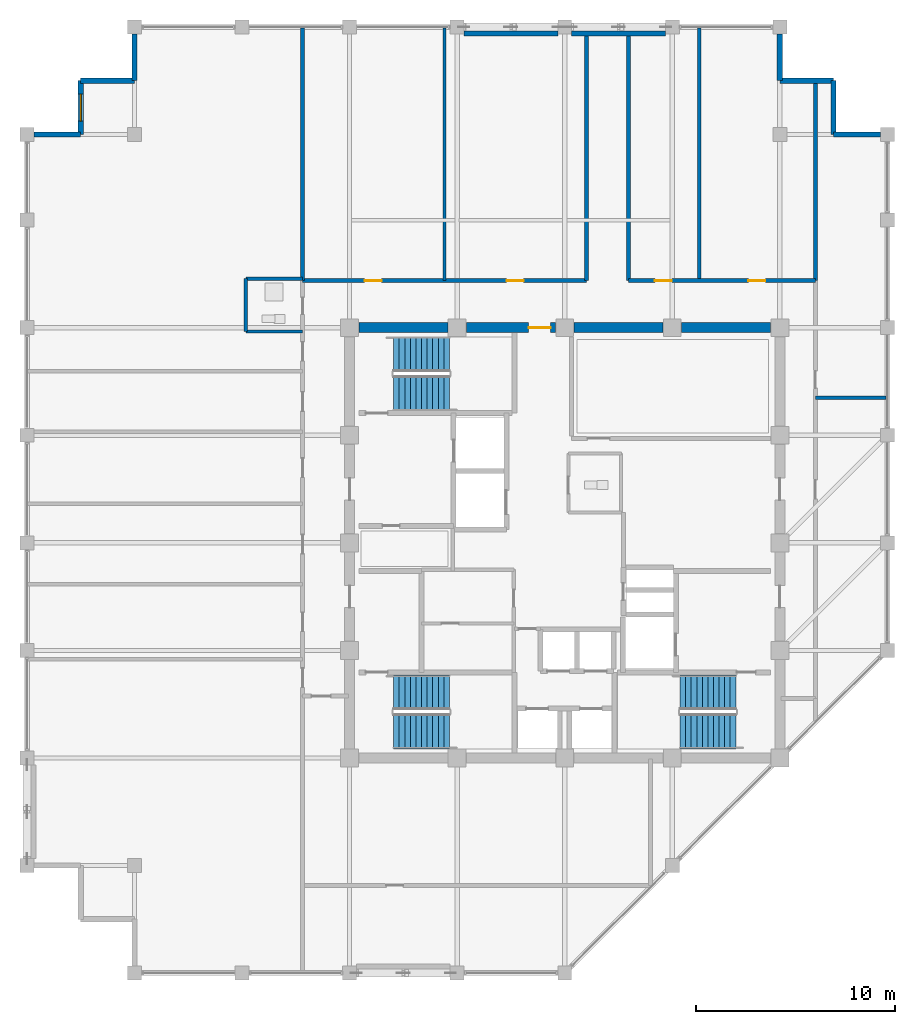
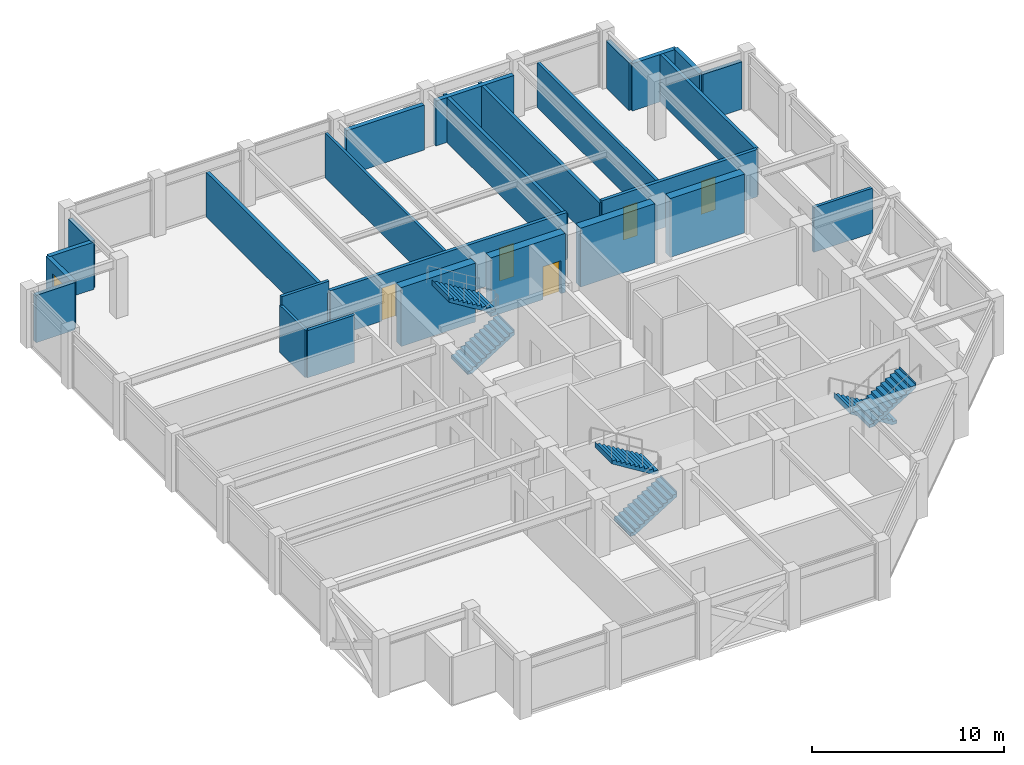
# One storey, part 28 of 30: 26 walls, 6 stair flights, 5 doors, 1 window, 6 openings, 3 elements without a shape of their own.
"""IFC4 building model written with IfcOpenShell, lengths in metres."""

import ifcopenshell
import ifcopenshell.guid

model = None  # the IFC model being written
_history = None  # IfcOwnerHistory: only IFC2X3 demands one
_inside = {}  # id of a spatial element -> (the spatial element, [elements in it])
_under = {}  # id of a project, library or spatial element -> (it, [spatial elements below it])
_declared = {}  # id of a project -> (the project, [libraries it declares])
_typed = {}  # id of a type object -> (the type object, [elements of that type])
_made_of = {}  # id of a material, layer set ... -> (it, [elements and type objects made of it])


def new_model(schema):
    """Start an empty IFC model of exactly this schema.

    Asked for "IFC4X3", IfcOpenShell would pick the latest addendum, in which some entities
    have other attributes; the version numbers below select the first issue.
    IFC2X3 requires an IfcOwnerHistory on every rooted entity: one is made here for all.
    """
    global model, _history
    if schema == "IFC4X3":
        model = ifcopenshell.file(schema_version=(4, 3, 0, 0))
    else:
        model = ifcopenshell.file(schema=schema)
    _inside.clear()
    _under.clear()
    _declared.clear()
    _typed.clear()
    _made_of.clear()
    _history = None
    if model.schema == "IFC2X3":
        org = make("IfcOrganization", Name="unknown")
        user = make(
            "IfcPersonAndOrganization",
            ThePerson=make("IfcPerson", FamilyName="unknown"),
            TheOrganization=org,
        )
        app = make(
            "IfcApplication",
            ApplicationDeveloper=org,
            Version="unknown",
            ApplicationFullName="unknown",
            ApplicationIdentifier="unknown",
        )
        _history = make(
            "IfcOwnerHistory",
            OwningUser=user,
            OwningApplication=app,
            ChangeAction="ADDED",
            CreationDate=0,
        )
    return model


def make(cls, **values):
    """One entity of the class cls with the attributes given. An attribute that is None is left unset."""
    return model.create_entity(
        cls, **{name: value for name, value in values.items() if value is not None}
    )


def rooted(cls, **values):
    """An entity with a GlobalId (a new one), such as an element, a storey or a relation."""
    return make(cls, GlobalId=ifcopenshell.guid.new(), OwnerHistory=_history, **values)


def si_unit(unit_type, name, prefix=None):
    """IfcSIUnit, for example si_unit("LENGTHUNIT", "METRE", prefix="MILLI")."""
    return make("IfcSIUnit", UnitType=unit_type, Prefix=prefix, Name=name)


def assignment(units):
    """IfcUnitAssignment: the units of a project."""
    return None if units is None else make("IfcUnitAssignment", Units=units)


def point(xyz):
    """IfcCartesianPoint."""
    return None if xyz is None else make("IfcCartesianPoint", Coordinates=xyz)


def direction(xyz):
    """IfcDirection."""
    return None if xyz is None else make("IfcDirection", DirectionRatios=xyz)


def frame(location, z_axis=None, x_axis=None):
    """IfcAxis2Placement3D, a coordinate frame: its origin and axes. An axis left out is left unset."""
    return make(
        "IfcAxis2Placement3D",
        Location=point(location),
        Axis=direction(z_axis),
        RefDirection=direction(x_axis),
    )


def frame_2d(location, x_axis=None):
    """IfcAxis2Placement2D, a coordinate frame in the plane: its origin and x axis."""
    return make(
        "IfcAxis2Placement2D", Location=point(location), RefDirection=direction(x_axis)
    )


def origin():
    """The frame at (0, 0, 0) with its axes left unset."""
    return frame((0.0, 0.0, 0.0))


def place(relative_to, where):
    """IfcLocalPlacement: puts the frame where relative to a parent placement (None: the world)."""
    return make(
        "IfcLocalPlacement", PlacementRelTo=relative_to, RelativePlacement=where
    )


def context(
    kind, dimensions, precision=None, world=None, true_north=None, identifier=None
):
    """IfcGeometricRepresentationContext, for example the 3D "Model" context."""
    return make(
        "IfcGeometricRepresentationContext",
        ContextIdentifier=identifier,
        ContextType=kind,
        CoordinateSpaceDimension=dimensions,
        Precision=precision,
        WorldCoordinateSystem=world,
        TrueNorth=true_north,
    )


def subcontext(parent, identifier, kind, view, scale=None):
    """IfcGeometricRepresentationSubContext, for example "Body" below "Model"."""
    return make(
        "IfcGeometricRepresentationSubContext",
        ContextIdentifier=identifier,
        ContextType=kind,
        ParentContext=parent,
        TargetScale=scale,
        TargetView=view,
    )


def project(units=None, contexts=None):
    """IfcProject with its units and contexts."""
    return rooted(
        "IfcProject",
        Name="project",
        RepresentationContexts=contexts,
        UnitsInContext=assignment(units),
    )


def spatial(cls, under=None, at=None, **own):
    """A site, building, storey or space (cls), placed at a placement, below another one or the project."""
    s = rooted(cls, ObjectPlacement=at, **own)
    if under is not None:
        _under.setdefault(under.id(), (under, []))[1].append(s)
    return s


def polyline(points):
    """IfcPolyline through the points."""
    return make("IfcPolyline", Points=[point(p) for p in points])


def profile(cls, at=None, kind="AREA", **sizes):
    """A parametric profile (cls). Its sizes go by their IFC names, for example OverallWidth=200.0."""
    return make(cls, ProfileType=kind, Position=at, **sizes)


def rectangle(**sizes):
    """IfcRectangleProfileDef."""
    return profile("IfcRectangleProfileDef", **sizes)


def outline(outer, holes=None, kind="AREA"):
    """IfcArbitraryClosedProfileDef: a profile drawn as a closed curve; with holes, ...WithVoids."""
    if holes is None:
        return make("IfcArbitraryClosedProfileDef", ProfileType=kind, OuterCurve=outer)
    return make(
        "IfcArbitraryProfileDefWithVoids",
        ProfileType=kind,
        OuterCurve=outer,
        InnerCurves=holes,
    )


def extrude(swept, where, along, depth):
    """IfcExtrudedAreaSolid: the profile swept, set in the frame where, extruded along a direction by depth."""
    return make(
        "IfcExtrudedAreaSolid",
        SweptArea=swept,
        Position=where,
        ExtrudedDirection=direction(along),
        Depth=depth,
    )


def shape(context_of_items, identifier, shape_type, items):
    """IfcShapeRepresentation: the items that make up one representation, for example the "Body"."""
    return make(
        "IfcShapeRepresentation",
        ContextOfItems=context_of_items,
        RepresentationIdentifier=identifier,
        RepresentationType=shape_type,
        Items=items,
    )


def material(Name=None, Category=None):
    """IfcMaterial."""
    return make("IfcMaterial", Name=Name, Category=Category)


def layer(
    of_material, thickness, ventilated=None, Name=None, Category=None, Priority=None
):
    """IfcMaterialLayer: one layer of a wall or slab, of a material (None: an air gap)."""
    return make(
        "IfcMaterialLayer",
        Material=of_material,
        LayerThickness=thickness,
        IsVentilated=ventilated,
        Name=Name,
        Category=Category,
        Priority=Priority,
    )


def layer_set(layers, Name=None):
    """IfcMaterialLayerSet."""
    return make("IfcMaterialLayerSet", MaterialLayers=layers, LayerSetName=Name)


def made_of(thing, what):
    """Note that an element or type object is made of a material, layer set ...; save() writes the relation."""
    if what is not None:
        _made_of.setdefault(what.id(), (what, []))[1].append(thing)
    return thing


def type_object(cls, material=None, **own):
    """A type object (cls), such as IfcWallType, which elements share."""
    return made_of(rooted(cls, **own), material)


def element(
    cls,
    number,
    at=None,
    inside=None,
    cuts=None,
    type_object=None,
    material=None,
    context=None,
    identifier="Body",
    shape_type=None,
    held_by="IfcProductDefinitionShape",
    body=None,
    shapes=None,
    **own,
):
    """One element of the class cls, such as IfcWall. Its Tag is "e" and its number.

    at: its placement. inside: the storey or other place that contains it. cuts: it is an
    opening in that element (IfcRelVoidsElement). A single representation is given by context,
    identifier, shape_type and body (its items); several are given by shapes. held_by: the class
    of the entity that holds the representations. save() writes the other relations.
    """
    e = rooted(cls, Tag="e%d" % number, ObjectPlacement=at, **own)
    if body is not None:
        shapes = [shape(context, identifier, shape_type, body)]
    if shapes is not None:
        e.Representation = make(held_by, Representations=shapes)
    if inside is not None:
        _inside.setdefault(inside.id(), (inside, []))[1].append(e)
    if cuts is not None:
        rooted(
            "IfcRelVoidsElement", RelatingBuildingElement=cuts, RelatedOpeningElement=e
        )
    if type_object is not None:
        _typed.setdefault(type_object.id(), (type_object, []))[1].append(e)
    return made_of(e, material)


def fill(opening, filler):
    """IfcRelFillsElement: the door or window that sits in an opening."""
    return rooted(
        "IfcRelFillsElement",
        RelatingOpeningElement=opening,
        RelatedBuildingElement=filler,
    )


def aggregate(whole, parts):
    """IfcRelAggregates: a whole, such as a stair, and the parts it consists of."""
    return rooted("IfcRelAggregates", RelatingObject=whole, RelatedObjects=parts)


def save(model, path):
    """Write the relations noted so far, then the file.

    IfcRelAggregates (storeys below a building ...), IfcRelContainedInSpatialStructure (elements
    in a storey), IfcRelDefinesByType, IfcRelAssociatesMaterial and IfcRelDeclares: one each for
    every whole, place, type object, material and project.
    """
    for whole, parts in _under.values():
        aggregate(whole, parts)
    for where, things in _inside.values():
        rooted(
            "IfcRelContainedInSpatialStructure",
            RelatedElements=things,
            RelatingStructure=where,
        )
    for kind, things in _typed.values():
        rooted("IfcRelDefinesByType", RelatedObjects=things, RelatingType=kind)
    for what, things in _made_of.values():
        rooted("IfcRelAssociatesMaterial", RelatedObjects=things, RelatingMaterial=what)
    for by, libraries in _declared.values():
        rooted("IfcRelDeclares", RelatingContext=by, RelatedDefinitions=libraries)
    model.write(path)


model = new_model("IFC4")

# Units and contexts
model_context = context("Model", 3, precision=1e-05, world=origin(), true_north=direction((0.0, 1.0)))
body_context = subcontext(model_context, "Body", "Model", "MODEL_VIEW")
ifc_project = project(units=[si_unit("LENGTHUNIT", "METRE"), si_unit("AREAUNIT", "SQUARE_METRE"), si_unit("VOLUMEUNIT", "CUBIC_METRE"), si_unit("PLANEANGLEUNIT", "RADIAN"), si_unit("MASSUNIT", "GRAM", prefix="KILO")], contexts=[model_context])

# Site, building, storey
site_placement = place(None, origin())
site = spatial("IfcSite", under=ifc_project, at=site_placement, CompositionType="ELEMENT")
building_placement = place(site_placement, origin())
building = spatial("IfcBuilding", under=site, at=building_placement, Name="Surkhivell Harbour Commons", CompositionType="ELEMENT")
storey_placement = place(building_placement, frame((0.0, 0.0, 292.5)))
storey = spatial("IfcBuildingStorey", under=building, at=storey_placement, Name="L76", CompositionType="ELEMENT", Elevation=292.5)

# Wall
ifc_material_1 = material(Name="Concrete C50/60", Category="concrete")
ifc_layer_1 = layer(ifc_material_1, 0.5)
ifc_layer_set_1 = layer_set([ifc_layer_1], Name="Concrete C50/60")
wall_type_1 = type_object("IfcWallType", Name="WAL-CORE-500", PredefinedType="SHEAR", material=ifc_layer_set_1)
wall_1_placement = place(storey_placement, frame((-10.340087890625, 10.800048828125, 0.0), z_axis=(0.0, 0.0, 1.0), x_axis=(1.0, 0.0, 0.0)))
element("IfcWall", 1, at=wall_1_placement, inside=storey, type_object=wall_type_1, Name="L76 Core Shear Wall North 1", PredefinedType="SHEAR", context=body_context, shape_type="SweptSolid", body=[
    extrude(rectangle(XDim=4.47998046875, YDim=0.5, at=frame_2d((2.239990234375, 0.0))), origin(), (0.0, 0.0, 1.0), 3.75),
])

# Wall, opening, door
wall_2_placement = place(storey_placement, frame((-4.93994140625, 10.800048828125, 0.0), z_axis=(0.0, 0.0, 1.0), x_axis=(1.0, 0.0, 0.0)))
wall_2 = element("IfcWall", 2, at=wall_2_placement, inside=storey, type_object=wall_type_1, Name="L76 Core Shear Wall North 2", PredefinedType="SHEAR", context=body_context, shape_type="SweptSolid", body=[
    extrude(rectangle(XDim=4.47998046875, YDim=0.5, at=frame_2d((2.239990234375, 0.0))), origin(), (0.0, 0.0, 1.0), 3.75),
])
opening_1_placement = place(wall_2_placement, frame((3.1298828125, 0.0, 0.0)))
opening_1 = element("IfcOpeningElement", 3, at=opening_1_placement, cuts=wall_2, Name="Opening ID-2", PredefinedType="OPENING", context=body_context, shape_type="SweptSolid", body=[
    extrude(rectangle(XDim=1.10009765625, YDim=2.10009765625, at=frame_2d((0.550048828125, 1.050048828125))), frame((0.0, 0.260009765625, 0.0), z_axis=(0.0, -1.0, 0.0), x_axis=(1.0, 0.0, 0.0)), (0.0, 0.0, 1.0), 0.52001953125),
])
ifc_material_2 = material(Name="Hardwood-veneered fire-rated door leaf", Category="wood")
door_type_1 = type_object("IfcDoorType", Name="DOR-FD60-1100", OperationType="NOTDEFINED", PredefinedType="DOOR", material=ifc_material_2)
door_1_placement = place(opening_1_placement, origin())
door_1 = element("IfcDoor", 4, at=door_1_placement, inside=storey, type_object=door_type_1, Name="L76 Central Core Lift Hall North Corridor Door", OperationType="SINGLE_SWING_LEFT", OverallHeight=2.10009765625, OverallWidth=1.10009765625, PredefinedType="DOOR", context=body_context, shape_type="SweptSolid", body=[
    extrude(rectangle(XDim=1.10009765625, YDim=2.10009765625, at=frame_2d((0.550048828125, 1.050048828125))), frame((0.0, 0.02490234375, 0.0), z_axis=(0.0, -1.0, 0.0), x_axis=(1.0, 0.0, 0.0)), (0.0, 0.0, 1.0), 0.050048828125),
])
fill(opening_1, door_1)

# Walls
for number, where, z_axis, x_axis, name in (
    (5, (0.4599609375, 10.800048828125, 0.0), (0.0, 0.0, 1.0), (1.0, 0.0, 0.0), "L76 Core Shear Wall North 3"),
    (6, (5.860107421875, 10.800048828125, 0.0), (0.0, 0.0, 1.0), (1.0, 0.0, 0.0), "L76 Core Shear Wall North 4"),
):
    element("IfcWall", number, at=place(storey_placement, frame(where, z_axis=z_axis, x_axis=x_axis)), inside=storey, type_object=wall_type_1, Name=name, PredefinedType="SHEAR", context=body_context, shape_type="SweptSolid", body=[
        extrude(rectangle(XDim=4.47998046875, YDim=0.5, at=frame_2d((2.239990234375, 0.0))), origin(), (0.0, 0.0, 1.0), 3.75),
    ])
ifc_material_3 = material(Name="Pale-metal insulated precast concrete C45/55", Category="concrete")
ifc_layer_2 = layer(ifc_material_3, 0.260009765625)
ifc_layer_set_2 = layer_set([ifc_layer_2], Name="Pale-metal insulated precast concrete C45/55")
wall_type_2 = type_object("IfcWallType", Name="WAL-EXT-MTL260", PredefinedType="STANDARD", material=ifc_layer_set_2)
wall_3_placement = place(storey_placement, frame((15.85205078125, 20.5, 0.0), z_axis=(0.0, 0.0, 1.0), x_axis=(-1.0, 0.0, 0.0)))
element("IfcWall", 7, at=wall_3_placement, inside=storey, type_object=wall_type_2, Name="L76 Serrated Corner Facade Wall 03", PredefinedType="STANDARD", context=body_context, shape_type="SweptSolid", body=[
    extrude(rectangle(XDim=2.35205078125, YDim=0.260009765625, at=frame_2d((1.176025390625, 0.0))), origin(), (0.0, 0.0, 1.0), 3.012939453125),
])
for number, where, z_axis, x_axis, name in (
    (8, (13.5, 20.5, 0.0), (0.0, 0.0, 1.0), (0.0, 1.0, 0.0), "L76 Serrated Corner Facade Wall 04"),
    (9, (13.5, 23.199951171875, 0.0), (0.0, 0.0, 1.0), (-1.0, 0.0, 0.0), "L76 Serrated Corner Facade Wall 05"),
):
    element("IfcWall", number, at=place(storey_placement, frame(where, z_axis=z_axis, x_axis=x_axis)), inside=storey, type_object=wall_type_2, Name=name, PredefinedType="STANDARD", context=body_context, shape_type="SweptSolid", body=[
        extrude(rectangle(XDim=2.699951171875, YDim=0.260009765625, at=frame_2d((1.35009765625, 0.0))), origin(), (0.0, 0.0, 1.0), 3.012939453125),
    ])
wall_4_placement = place(storey_placement, frame((10.800048828125, 23.199951171875, 0.0), z_axis=(0.0, 0.0, 1.0), x_axis=(0.0, 1.0, 0.0)))
element("IfcWall", 10, at=wall_4_placement, inside=storey, type_object=wall_type_2, Name="L76 Serrated Corner Facade Wall 06", PredefinedType="STANDARD", context=body_context, shape_type="SweptSolid", body=[
    extrude(rectangle(XDim=2.35205078125, YDim=0.260009765625, at=frame_2d((1.176025390625, 0.0))), origin(), (0.0, 0.0, 1.0), 3.012939453125),
])
for number, where, z_axis, x_axis, name in (
    (11, (-0.347900390625, 25.56494140625, 0.0), (0.0, 0.0, 1.0), (-1.0, 0.0, 0.0), "L76 Braced-Bay Insulated Spandrel Backing N"),
    (12, (5.052001953125, 25.56494140625, 0.0), (0.0, 0.0, 1.0), (-1.0, 0.0, 0.0), "L76 Braced-Bay Insulated Spandrel Backing N2"),
):
    element("IfcWall", number, at=place(storey_placement, frame(where, z_axis=z_axis, x_axis=x_axis)), inside=storey, type_object=wall_type_2, Name=name, PredefinedType="STANDARD", context=body_context, shape_type="SweptSolid", body=[
        extrude(rectangle(XDim=4.7041015625, YDim=0.260009765625, at=frame_2d((2.35205078125, 0.0))), origin(), (0.0, 0.0, 1.0), 2.85693359375),
    ])
wall_5_placement = place(storey_placement, frame((-21.60009765625, 25.552001953125, 0.0), z_axis=(0.0, 0.0, 1.0), x_axis=(0.0, -1.0, 0.0)))
element("IfcWall", 13, at=wall_5_placement, inside=storey, type_object=wall_type_2, Name="L76 Serrated Corner Facade Wall 08", PredefinedType="STANDARD", context=body_context, shape_type="SweptSolid", body=[
    extrude(rectangle(XDim=2.35205078125, YDim=0.260009765625, at=frame_2d((1.176025390625, 0.0))), origin(), (0.0, 0.0, 1.0), 3.012939453125),
])
wall_6_placement = place(storey_placement, frame((-21.60009765625, 23.199951171875, 0.0), z_axis=(0.0, 0.0, 1.0), x_axis=(-1.0, 0.0, 0.0)))
element("IfcWall", 14, at=wall_6_placement, inside=storey, type_object=wall_type_2, Name="L76 Serrated Corner Facade Wall 09", PredefinedType="STANDARD", context=body_context, shape_type="SweptSolid", body=[
    extrude(rectangle(XDim=2.699951171875, YDim=0.260009765625, at=frame_2d((1.35009765625, 0.0))), origin(), (0.0, 0.0, 1.0), 3.012939453125),
])

# Wall, opening, window
wall_7_placement = place(storey_placement, frame((-24.300048828125, 23.199951171875, 0.0), z_axis=(0.0, 0.0, 1.0), x_axis=(0.0, -1.0, 0.0)))
wall_7 = element("IfcWall", 15, at=wall_7_placement, inside=storey, type_object=wall_type_2, Name="L76 Serrated Corner Facade Wall 10", PredefinedType="STANDARD", context=body_context, shape_type="SweptSolid", body=[
    extrude(rectangle(XDim=2.699951171875, YDim=0.260009765625, at=frame_2d((1.35009765625, 0.0))), origin(), (0.0, 0.0, 1.0), 3.012939453125),
])
opening_2_placement = place(wall_7_placement, frame((0.675048828125, 0.0, 0.64990234375)))
opening_2 = element("IfcOpeningElement", 16, at=opening_2_placement, cuts=wall_7, Name="Opening WN-08", PredefinedType="OPENING", context=body_context, shape_type="SweptSolid", body=[
    extrude(rectangle(XDim=1.35009765625, YDim=1.64990234375, at=frame_2d((0.675048828125, 0.824951171875))), frame((0.0, 0.139892578125, 0.0), z_axis=(0.0, -1.0, 0.0), x_axis=(1.0, 0.0, 0.0)), (0.0, 0.0, 1.0), 0.280029296875),
])
ifc_material_4 = material(Name="Thermal-break aluminium frame and double low-E glazing", Category="aluminium")
window_type = type_object("IfcWindowType", Name="WIN-SER-1350x1650", PartitioningType="SINGLE_PANEL", PredefinedType="WINDOW", material=ifc_material_4)
window_placement = place(opening_2_placement, origin())
window = element("IfcWindow", 17, at=window_placement, inside=storey, type_object=window_type, Name="L76 Serrated Alcove Window 10", OverallHeight=1.64990234375, OverallWidth=1.35009765625, PartitioningType="SINGLE_PANEL", PredefinedType="WINDOW", context=body_context, shape_type="SweptSolid", body=[
    extrude(rectangle(XDim=1.35009765625, YDim=1.64990234375, at=frame_2d((0.675048828125, 0.824951171875))), frame((0.0, 0.030029296875, 0.0), z_axis=(0.0, -1.0, 0.0), x_axis=(1.0, 0.0, 0.0)), (0.0, 0.0, 1.0), 0.06005859375),
])
fill(opening_2, window)

# Walls
wall_8_placement = place(storey_placement, frame((-24.300048828125, 20.5, 0.0), z_axis=(0.0, 0.0, 1.0), x_axis=(-1.0, 0.0, 0.0)))
element("IfcWall", 18, at=wall_8_placement, inside=storey, type_object=wall_type_2, Name="L76 Serrated Corner Facade Wall 11", PredefinedType="STANDARD", context=body_context, shape_type="SweptSolid", body=[
    extrude(rectangle(XDim=2.35205078125, YDim=0.260009765625, at=frame_2d((1.176025390625, 0.0))), origin(), (0.0, 0.0, 1.0), 3.012939453125),
])
ifc_material_5 = material(Name="Twin-stud acoustic fireboard partition", Category="other")
ifc_layer_3 = layer(ifc_material_5, 0.14990234375)
ifc_layer_set_3 = layer_set([ifc_layer_3], Name="Twin-stud acoustic fireboard partition")
wall_type_3 = type_object("IfcWallType", Name="WAL-INT-150", PredefinedType="PARTITIONING", material=ifc_layer_set_3)
wall_9_placement = place(storey_placement, frame((-6.030029296875, 13.159912109375, 0.0), z_axis=(0.0, 0.0, 1.0), x_axis=(0.0, 1.0, 0.0)))
element("IfcWall", 19, at=wall_9_placement, inside=storey, type_object=wall_type_3, Name="L76 North-West Partition P1", PredefinedType="PARTITIONING", context=body_context, shape_type="SweptSolid", body=[
    extrude(rectangle(XDim=12.68017578125, YDim=0.14990234375, at=frame_2d((6.340087890625, 0.0))), origin(), (0.0, 0.0, 1.0), 2.85693359375),
])
ifc_material_6 = material(Name="High-density acoustic blockwork fire partition", Category="masonry")
ifc_layer_4 = layer(ifc_material_6, 0.175048828125)
ifc_layer_set_4 = layer_set([ifc_layer_4], Name="High-density acoustic blockwork fire partition")
wall_type_4 = type_object("IfcWallType", Name="WAL-INT-175", PredefinedType="PARTITIONING", material=ifc_layer_set_4)
wall_10_placement = place(storey_placement, frame((12.580078125, 7.2900390625, 0.0), z_axis=(0.0, 0.0, 1.0), x_axis=(1.0, 0.0, 0.0)))
element("IfcWall", 20, at=wall_10_placement, inside=storey, type_object=wall_type_4, Name="L76 East Partition P1", PredefinedType="PARTITIONING", context=body_context, shape_type="SweptSolid", body=[
    extrude(rectangle(XDim=3.559814453125, YDim=0.175048828125, at=frame_2d((1.77978515625, 0.0))), origin(), (0.0, 0.0, 1.0), 2.85693359375),
])
wall_11_placement = place(storey_placement, frame((6.760009765625, 13.159912109375, 0.0), z_axis=(0.0, 0.0, 1.0), x_axis=(0.0, 1.0, 0.0)))
element("IfcWall", 21, at=wall_11_placement, inside=storey, type_object=wall_type_4, Name="L76 North-East Partition P1", PredefinedType="PARTITIONING", context=body_context, shape_type="SweptSolid", body=[
    extrude(rectangle(XDim=12.68017578125, YDim=0.175048828125, at=frame_2d((6.340087890625, 0.0))), origin(), (0.0, 0.0, 1.0), 2.85693359375),
])
wall_12_placement = place(storey_placement, frame((-16.010009765625, 10.610107421875, 0.0), z_axis=(0.0, 0.0, 1.0), x_axis=(0.0, 1.0, 0.0)))
element("IfcWall", 22, at=wall_12_placement, inside=storey, type_object=wall_type_4, Name="L76 West Partition BTHB", PredefinedType="PARTITIONING", context=body_context, shape_type="SweptSolid", body=[
    extrude(rectangle(XDim=2.64990234375, YDim=0.175048828125, at=frame_2d((1.324951171875, 0.0))), origin(), (0.0, 0.0, 1.0), 3.012939453125),
])
wall_13_placement = place(storey_placement, frame((-16.010009765625, 13.260009765625, 0.0), z_axis=(0.0, 0.0, 1.0), x_axis=(1.0, 0.0, 0.0)))
element("IfcWall", 23, at=wall_13_placement, inside=storey, type_object=wall_type_4, Name="L76 West Partition BTHN", PredefinedType="PARTITIONING", context=body_context, shape_type="SweptSolid", body=[
    extrude(rectangle(XDim=2.85009765625, YDim=0.175048828125, at=frame_2d((1.425048828125, 0.0))), origin(), (0.0, 0.0, 1.0), 3.570068359375),
])
wall_14_placement = place(storey_placement, frame((-16.010009765625, 10.610107421875, 0.0), z_axis=(0.0, 0.0, 1.0), x_axis=(1.0, 0.0, 0.0)))
element("IfcWall", 24, at=wall_14_placement, inside=storey, type_object=wall_type_4, Name="L76 West Partition BTHS", PredefinedType="PARTITIONING", context=body_context, shape_type="SweptSolid", body=[
    extrude(rectangle(XDim=2.85009765625, YDim=0.175048828125, at=frame_2d((1.425048828125, 0.0))), origin(), (0.0, 0.0, 1.0), 3.012939453125),
])
ifc_material_7 = material(Name="Autoclaved aerated concrete blockwork and fire plaster", Category="masonry")
ifc_layer_5 = layer(ifc_material_7, 0.199951171875)
ifc_layer_set_5 = layer_set([ifc_layer_5], Name="Autoclaved aerated concrete blockwork and fire plaster")
wall_type_5 = type_object("IfcWallType", Name="WAL-INT-200", PredefinedType="PARTITIONING", material=ifc_layer_set_5)
wall_15_placement = place(storey_placement, frame((12.580078125, 13.159912109375, 0.0), z_axis=(0.0, 0.0, 1.0), x_axis=(0.0, 1.0, 0.0)))
element("IfcWall", 25, at=wall_15_placement, inside=storey, type_object=wall_type_5, Name="L76 North-East Corner Wall", PredefinedType="PARTITIONING", context=body_context, shape_type="SweptSolid", body=[
    extrude(rectangle(XDim=9.97998046875, YDim=0.199951171875, at=frame_2d((4.989990234375, 0.0))), origin(), (0.0, 0.0, 1.0), 3.012939453125),
])
wall_16_placement = place(storey_placement, frame((-13.159912109375, 13.159912109375, 0.0), z_axis=(0.0, 0.0, 1.0), x_axis=(0.0, 1.0, 0.0)))
element("IfcWall", 26, at=wall_16_placement, inside=storey, type_object=wall_type_5, Name="L76 North-West Corner Wall", PredefinedType="PARTITIONING", context=body_context, shape_type="SweptSolid", body=[
    extrude(rectangle(XDim=12.68017578125, YDim=0.199951171875, at=frame_2d((6.340087890625, 0.0))), origin(), (0.0, 0.0, 1.0), 2.85693359375),
])

# Wall, openings, doors
wall_17_placement = place(storey_placement, frame((-13.159912109375, 13.159912109375, 0.0), z_axis=(0.0, 0.0, 1.0), x_axis=(1.0, 0.0, 0.0)))
wall_17 = element("IfcWall", 27, at=wall_17_placement, inside=storey, type_object=wall_type_5, Name="L76 North-West Corridor Wall", PredefinedType="PARTITIONING", context=body_context, shape_type="SweptSolid", body=[
    extrude(rectangle(XDim=14.260009765625, YDim=0.199951171875, at=frame_2d((7.1298828125, 0.0))), origin(), (0.0, 0.0, 1.0), 3.012939453125),
])
opening_3_placement = place(wall_17_placement, frame((3.114990234375, 0.0, 0.0)))
opening_3 = element("IfcOpeningElement", 28, at=opening_3_placement, cuts=wall_17, Name="Opening ID-6", PredefinedType="OPENING", context=body_context, shape_type="SweptSolid", body=[
    extrude(rectangle(XDim=0.85009765625, YDim=2.10009765625, at=frame_2d((0.425048828125, 1.050048828125))), frame((0.0, 0.10986328125, 0.0), z_axis=(0.0, -1.0, 0.0), x_axis=(1.0, 0.0, 0.0)), (0.0, 0.0, 1.0), 0.219970703125),
])
opening_4_placement = place(wall_17_placement, frame((10.2451171875, 0.0, 0.0)))
opening_4 = element("IfcOpeningElement", 29, at=opening_4_placement, cuts=wall_17, Name="Opening ID-6", PredefinedType="OPENING", context=body_context, shape_type="SweptSolid", body=[
    extrude(rectangle(XDim=0.85009765625, YDim=2.10009765625, at=frame_2d((0.425048828125, 1.050048828125))), frame((0.0, 0.10986328125, 0.0), z_axis=(0.0, -1.0, 0.0), x_axis=(1.0, 0.0, 0.0)), (0.0, 0.0, 1.0), 0.219970703125),
])
door_type_2 = type_object("IfcDoorType", Name="DOR-FD30-850", OperationType="NOTDEFINED", PredefinedType="DOOR", material=ifc_material_2)
door_2_placement = place(opening_3_placement, origin())
door_2 = element("IfcDoor", 30, at=door_2_placement, inside=storey, type_object=door_type_2, Name="L76 Campus Co-Op Bookshop North-West Door", OperationType="SINGLE_SWING_LEFT", OverallHeight=2.10009765625, OverallWidth=0.85009765625, PredefinedType="DOOR", context=body_context, shape_type="SweptSolid", body=[
    extrude(rectangle(XDim=0.85009765625, YDim=2.10009765625, at=frame_2d((0.425048828125, 1.050048828125))), frame((0.0, 0.02490234375, 0.0), z_axis=(0.0, -1.0, 0.0), x_axis=(1.0, 0.0, 0.0)), (0.0, 0.0, 1.0), 0.050048828125),
])
fill(opening_3, door_2)
door_3_placement = place(opening_4_placement, origin())
door_3 = element("IfcDoor", 31, at=door_3_placement, inside=storey, type_object=door_type_2, Name="L76 Harbour Espresso Cafe Shop North-West Door", OperationType="SINGLE_SWING_RIGHT", OverallHeight=2.10009765625, OverallWidth=0.85009765625, PredefinedType="DOOR", context=body_context, shape_type="SweptSolid", body=[
    extrude(rectangle(XDim=0.85009765625, YDim=2.10009765625, at=frame_2d((0.425048828125, 1.050048828125))), frame((0.0, 0.02490234375, 0.0), z_axis=(0.0, -1.0, 0.0), x_axis=(1.0, 0.0, 0.0)), (0.0, 0.0, 1.0), 0.050048828125),
])
fill(opening_4, door_3)

wall_18_placement = place(storey_placement, frame((3.199951171875, 13.159912109375, 0.0), z_axis=(0.0, 0.0, 1.0), x_axis=(1.0, 0.0, 0.0)))
wall_18 = element("IfcWall", 32, at=wall_18_placement, inside=storey, type_object=wall_type_5, Name="L76 North-East Corridor Wall", PredefinedType="PARTITIONING", context=body_context, shape_type="SweptSolid", body=[
    extrude(rectangle(XDim=9.380126953125, YDim=0.199951171875, at=frame_2d((4.68994140625, 0.0))), origin(), (0.0, 0.0, 1.0), 3.012939453125),
])
opening_5_placement = place(wall_18_placement, frame((1.330078125, 0.0, 0.0)))
opening_5 = element("IfcOpeningElement", 33, at=opening_5_placement, cuts=wall_18, Name="Opening ID-6", PredefinedType="OPENING", context=body_context, shape_type="SweptSolid", body=[
    extrude(rectangle(XDim=0.85009765625, YDim=2.10009765625, at=frame_2d((0.425048828125, 1.050048828125))), frame((0.0, 0.10986328125, 0.0), z_axis=(0.0, -1.0, 0.0), x_axis=(1.0, 0.0, 0.0)), (0.0, 0.0, 1.0), 0.219970703125),
])
opening_6_placement = place(wall_18_placement, frame((6.02001953125, 0.0, 0.0)))
opening_6 = element("IfcOpeningElement", 34, at=opening_6_placement, cuts=wall_18, Name="Opening ID-6", PredefinedType="OPENING", context=body_context, shape_type="SweptSolid", body=[
    extrude(rectangle(XDim=0.85009765625, YDim=2.10009765625, at=frame_2d((0.425048828125, 1.050048828125))), frame((0.0, 0.10986328125, 0.0), z_axis=(0.0, -1.0, 0.0), x_axis=(1.0, 0.0, 0.0)), (0.0, 0.0, 1.0), 0.219970703125),
])
door_4_placement = place(opening_5_placement, origin())
door_4 = element("IfcDoor", 35, at=door_4_placement, inside=storey, type_object=door_type_2, Name="L76 Harbour Reading Library North-East Door", OperationType="SINGLE_SWING_LEFT", OverallHeight=2.10009765625, OverallWidth=0.85009765625, PredefinedType="DOOR", context=body_context, shape_type="SweptSolid", body=[
    extrude(rectangle(XDim=0.85009765625, YDim=2.10009765625, at=frame_2d((0.425048828125, 1.050048828125))), frame((0.0, 0.02490234375, 0.0), z_axis=(0.0, -1.0, 0.0), x_axis=(1.0, 0.0, 0.0)), (0.0, 0.0, 1.0), 0.050048828125),
])
fill(opening_5, door_4)
door_5_placement = place(opening_6_placement, origin())
door_5 = element("IfcDoor", 36, at=door_5_placement, inside=storey, type_object=door_type_2, Name="L76 Communal Dining Hall North-East Door", OperationType="SINGLE_SWING_RIGHT", OverallHeight=2.10009765625, OverallWidth=0.85009765625, PredefinedType="DOOR", context=body_context, shape_type="SweptSolid", body=[
    extrude(rectangle(XDim=0.85009765625, YDim=2.10009765625, at=frame_2d((0.425048828125, 1.050048828125))), frame((0.0, 0.02490234375, 0.0), z_axis=(0.0, -1.0, 0.0), x_axis=(1.0, 0.0, 0.0)), (0.0, 0.0, 1.0), 0.050048828125),
])
fill(opening_6, door_5)

# Walls
for number, where, z_axis, x_axis, name in (
    (37, (3.199951171875, 13.159912109375, 0.0), (0.0, 0.0, 1.0), (0.0, 1.0, 0.0), "L76 North Spur East Wall"),
    (38, (1.10009765625, 13.159912109375, 0.0), (0.0, 0.0, 1.0), (0.0, 1.0, 0.0), "L76 North Spur West Wall"),
):
    element("IfcWall", number, at=place(storey_placement, frame(where, z_axis=z_axis, x_axis=x_axis)), inside=storey, type_object=wall_type_5, Name=name, PredefinedType="PARTITIONING", context=body_context, shape_type="SweptSolid", body=[
        extrude(rectangle(XDim=12.68017578125, YDim=0.199951171875, at=frame_2d((6.340087890625, 0.0))), origin(), (0.0, 0.0, 1.0), 2.85693359375),
    ])

# Stair, stair flights
ifc_material_8 = material(Name="Precast concrete C45/55", Category="concrete")
stair_type = type_object("IfcStairType", Name="STR-DL-375", PredefinedType="HALF_TURN_STAIR", material=ifc_material_8)
stair_1_placement = place(storey_placement, origin())
stair_1 = element("IfcStair", 39, at=stair_1_placement, inside=storey, type_object=stair_type, Name="L76 Core Exit Stair ST1", PredefinedType="HALF_TURN_STAIR")
stair_flight_type = type_object("IfcStairFlightType", Name="STF-DL-375", PredefinedType="STRAIGHT", material=ifc_material_8)
stair_flight_1_placement = place(storey_placement, frame((-8.590087890625, 7.514892578125, 0.0), z_axis=(0.0, 0.0, 1.0), x_axis=(1.0, 0.0, 0.0)))
stair_flight_1 = element("IfcStairFlight", 40, at=stair_flight_1_placement, type_object=stair_flight_type, Name="ST1 flight 1", NumberOfRisers=11, NumberOfTreads=10, PredefinedType="STRAIGHT", RiserHeight=0.170454545, TreadLength=0.28, context=body_context, shape_type="SweptSolid", body=[
    extrude(outline(polyline([(-0.0029296875, -0.034912109375), (-0.0029296875, 0.0), (0.0, 0.0), (0.0, 0.17041015625), (0.280029296875, 0.17041015625), (0.280029296875, 0.3408203125), (0.56005859375, 0.3408203125), (0.56005859375, 0.511474609375), (0.840087890625, 0.511474609375), (0.840087890625, 0.681884765625), (1.1201171875, 0.681884765625), (1.1201171875, 0.852294921875), (1.39990234375, 0.852294921875), (1.39990234375, 1.022705078125), (1.679931640625, 1.022705078125), (1.679931640625, 1.193115234375), (1.9599609375, 1.193115234375), (1.9599609375, 1.363525390625), (2.239990234375, 1.363525390625), (2.239990234375, 1.5341796875), (2.52001953125, 1.5341796875), (2.52001953125, 1.70458984375), (2.800048828125, 1.70458984375), (2.800048828125, 1.875), (2.802978515625, 1.875), (2.802978515625, 1.529052734375), (0.288330078125, -0.034912109375), (-0.0029296875, -0.034912109375)])), frame((0.0, 0.875, 0.0), z_axis=(0.0, -1.0, 0.0), x_axis=(1.0, 0.0, 0.0)), (0.0, 0.0, 1.0), 1.75),
])
stair_flight_2_placement = place(storey_placement, frame((-5.7900390625, 9.465087890625, 1.875), z_axis=(0.0, 0.0, 1.0), x_axis=(-1.0, 0.0, 0.0)))
stair_flight_2 = element("IfcStairFlight", 41, at=stair_flight_2_placement, type_object=stair_flight_type, Name="ST1 flight 2", NumberOfRisers=11, NumberOfTreads=10, PredefinedType="STRAIGHT", RiserHeight=0.170454545, TreadLength=0.28, context=body_context, shape_type="SweptSolid", body=[
    extrude(outline(polyline([(-0.0029296875, -0.034912109375), (-0.0029296875, 0.0), (0.0, 0.0), (0.0, 0.17041015625), (0.280029296875, 0.17041015625), (0.280029296875, 0.3408203125), (0.56005859375, 0.3408203125), (0.56005859375, 0.511474609375), (0.840087890625, 0.511474609375), (0.840087890625, 0.681884765625), (1.1201171875, 0.681884765625), (1.1201171875, 0.852294921875), (1.39990234375, 0.852294921875), (1.39990234375, 1.022705078125), (1.679931640625, 1.022705078125), (1.679931640625, 1.193115234375), (1.9599609375, 1.193115234375), (1.9599609375, 1.363525390625), (2.239990234375, 1.363525390625), (2.239990234375, 1.5341796875), (2.52001953125, 1.5341796875), (2.52001953125, 1.70458984375), (2.800048828125, 1.70458984375), (2.800048828125, 1.875), (2.802978515625, 1.875), (2.802978515625, 1.529052734375), (0.288330078125, -0.034912109375), (-0.0029296875, -0.034912109375)])), frame((0.0, 0.875, 0.0), z_axis=(0.0, -1.0, 0.0), x_axis=(1.0, 0.0, 0.0)), (0.0, 0.0, 1.0), 1.75),
])
aggregate(stair_1, [stair_flight_1, stair_flight_2])

stair_2_placement = place(storey_placement, origin())
stair_2 = element("IfcStair", 42, at=stair_2_placement, inside=storey, type_object=stair_type, Name="L76 Core Exit Stair ST2", PredefinedType="HALF_TURN_STAIR")
stair_flight_3_placement = place(storey_placement, frame((8.590087890625, -7.514892578125, 0.0), z_axis=(0.0, 0.0, 1.0), x_axis=(-1.0, 0.0, 0.0)))
stair_flight_3 = element("IfcStairFlight", 43, at=stair_flight_3_placement, type_object=stair_flight_type, Name="ST2 flight 1", NumberOfRisers=11, NumberOfTreads=10, PredefinedType="STRAIGHT", RiserHeight=0.170454545, TreadLength=0.28, context=body_context, shape_type="SweptSolid", body=[
    extrude(outline(polyline([(-0.0029296875, -0.034912109375), (-0.0029296875, 0.0), (0.0, 0.0), (0.0, 0.17041015625), (0.280029296875, 0.17041015625), (0.280029296875, 0.3408203125), (0.56005859375, 0.3408203125), (0.56005859375, 0.511474609375), (0.840087890625, 0.511474609375), (0.840087890625, 0.681884765625), (1.1201171875, 0.681884765625), (1.1201171875, 0.852294921875), (1.39990234375, 0.852294921875), (1.39990234375, 1.022705078125), (1.679931640625, 1.022705078125), (1.679931640625, 1.193115234375), (1.9599609375, 1.193115234375), (1.9599609375, 1.363525390625), (2.239990234375, 1.363525390625), (2.239990234375, 1.5341796875), (2.52001953125, 1.5341796875), (2.52001953125, 1.70458984375), (2.800048828125, 1.70458984375), (2.800048828125, 1.875), (2.802978515625, 1.875), (2.802978515625, 1.529052734375), (0.288330078125, -0.034912109375), (-0.0029296875, -0.034912109375)])), frame((0.0, 0.875, 0.0), z_axis=(0.0, -1.0, 0.0), x_axis=(1.0, 0.0, 0.0)), (0.0, 0.0, 1.0), 1.75),
])
stair_flight_4_placement = place(storey_placement, frame((5.7900390625, -9.465087890625, 1.875), z_axis=(0.0, 0.0, 1.0), x_axis=(1.0, 0.0, 0.0)))
stair_flight_4 = element("IfcStairFlight", 44, at=stair_flight_4_placement, type_object=stair_flight_type, Name="ST2 flight 2", NumberOfRisers=11, NumberOfTreads=10, PredefinedType="STRAIGHT", RiserHeight=0.170454545, TreadLength=0.28, context=body_context, shape_type="SweptSolid", body=[
    extrude(outline(polyline([(-0.0029296875, -0.034912109375), (-0.0029296875, 0.0), (0.0, 0.0), (0.0, 0.17041015625), (0.280029296875, 0.17041015625), (0.280029296875, 0.3408203125), (0.56005859375, 0.3408203125), (0.56005859375, 0.511474609375), (0.840087890625, 0.511474609375), (0.840087890625, 0.681884765625), (1.1201171875, 0.681884765625), (1.1201171875, 0.852294921875), (1.39990234375, 0.852294921875), (1.39990234375, 1.022705078125), (1.679931640625, 1.022705078125), (1.679931640625, 1.193115234375), (1.9599609375, 1.193115234375), (1.9599609375, 1.363525390625), (2.239990234375, 1.363525390625), (2.239990234375, 1.5341796875), (2.52001953125, 1.5341796875), (2.52001953125, 1.70458984375), (2.800048828125, 1.70458984375), (2.800048828125, 1.875), (2.802978515625, 1.875), (2.802978515625, 1.529052734375), (0.288330078125, -0.034912109375), (-0.0029296875, -0.034912109375)])), frame((0.0, 0.875, 0.0), z_axis=(0.0, -1.0, 0.0), x_axis=(1.0, 0.0, 0.0)), (0.0, 0.0, 1.0), 1.75),
])
aggregate(stair_2, [stair_flight_3, stair_flight_4])

stair_3_placement = place(storey_placement, origin())
stair_3 = element("IfcStair", 45, at=stair_3_placement, inside=storey, type_object=stair_type, Name="L76 Core Exit Stair ST3", PredefinedType="HALF_TURN_STAIR")
stair_flight_5_placement = place(storey_placement, frame((-8.590087890625, -9.465087890625, 0.0), z_axis=(0.0, 0.0, 1.0), x_axis=(1.0, 0.0, 0.0)))
stair_flight_5 = element("IfcStairFlight", 46, at=stair_flight_5_placement, type_object=stair_flight_type, Name="ST3 flight 1", NumberOfRisers=11, NumberOfTreads=10, PredefinedType="STRAIGHT", RiserHeight=0.170454545, TreadLength=0.28, context=body_context, shape_type="SweptSolid", body=[
    extrude(outline(polyline([(-0.0029296875, -0.034912109375), (-0.0029296875, 0.0), (0.0, 0.0), (0.0, 0.17041015625), (0.280029296875, 0.17041015625), (0.280029296875, 0.3408203125), (0.56005859375, 0.3408203125), (0.56005859375, 0.511474609375), (0.840087890625, 0.511474609375), (0.840087890625, 0.681884765625), (1.1201171875, 0.681884765625), (1.1201171875, 0.852294921875), (1.39990234375, 0.852294921875), (1.39990234375, 1.022705078125), (1.679931640625, 1.022705078125), (1.679931640625, 1.193115234375), (1.9599609375, 1.193115234375), (1.9599609375, 1.363525390625), (2.239990234375, 1.363525390625), (2.239990234375, 1.5341796875), (2.52001953125, 1.5341796875), (2.52001953125, 1.70458984375), (2.800048828125, 1.70458984375), (2.800048828125, 1.875), (2.802978515625, 1.875), (2.802978515625, 1.529052734375), (0.288330078125, -0.034912109375), (-0.0029296875, -0.034912109375)])), frame((0.0, 0.875, 0.0), z_axis=(0.0, -1.0, 0.0), x_axis=(1.0, 0.0, 0.0)), (0.0, 0.0, 1.0), 1.75),
])
stair_flight_6_placement = place(storey_placement, frame((-5.7900390625, -7.514892578125, 1.875), z_axis=(0.0, 0.0, 1.0), x_axis=(-1.0, 0.0, 0.0)))
stair_flight_6 = element("IfcStairFlight", 47, at=stair_flight_6_placement, type_object=stair_flight_type, Name="ST3 flight 2", NumberOfRisers=11, NumberOfTreads=10, PredefinedType="STRAIGHT", RiserHeight=0.170454545, TreadLength=0.28, context=body_context, shape_type="SweptSolid", body=[
    extrude(outline(polyline([(-0.0029296875, -0.034912109375), (-0.0029296875, 0.0), (0.0, 0.0), (0.0, 0.17041015625), (0.280029296875, 0.17041015625), (0.280029296875, 0.3408203125), (0.56005859375, 0.3408203125), (0.56005859375, 0.511474609375), (0.840087890625, 0.511474609375), (0.840087890625, 0.681884765625), (1.1201171875, 0.681884765625), (1.1201171875, 0.852294921875), (1.39990234375, 0.852294921875), (1.39990234375, 1.022705078125), (1.679931640625, 1.022705078125), (1.679931640625, 1.193115234375), (1.9599609375, 1.193115234375), (1.9599609375, 1.363525390625), (2.239990234375, 1.363525390625), (2.239990234375, 1.5341796875), (2.52001953125, 1.5341796875), (2.52001953125, 1.70458984375), (2.800048828125, 1.70458984375), (2.800048828125, 1.875), (2.802978515625, 1.875), (2.802978515625, 1.529052734375), (0.288330078125, -0.034912109375), (-0.0029296875, -0.034912109375)])), frame((0.0, 0.875, 0.0), z_axis=(0.0, -1.0, 0.0), x_axis=(1.0, 0.0, 0.0)), (0.0, 0.0, 1.0), 1.75),
])
aggregate(stair_3, [stair_flight_5, stair_flight_6])

save(model, "model.ifc")
